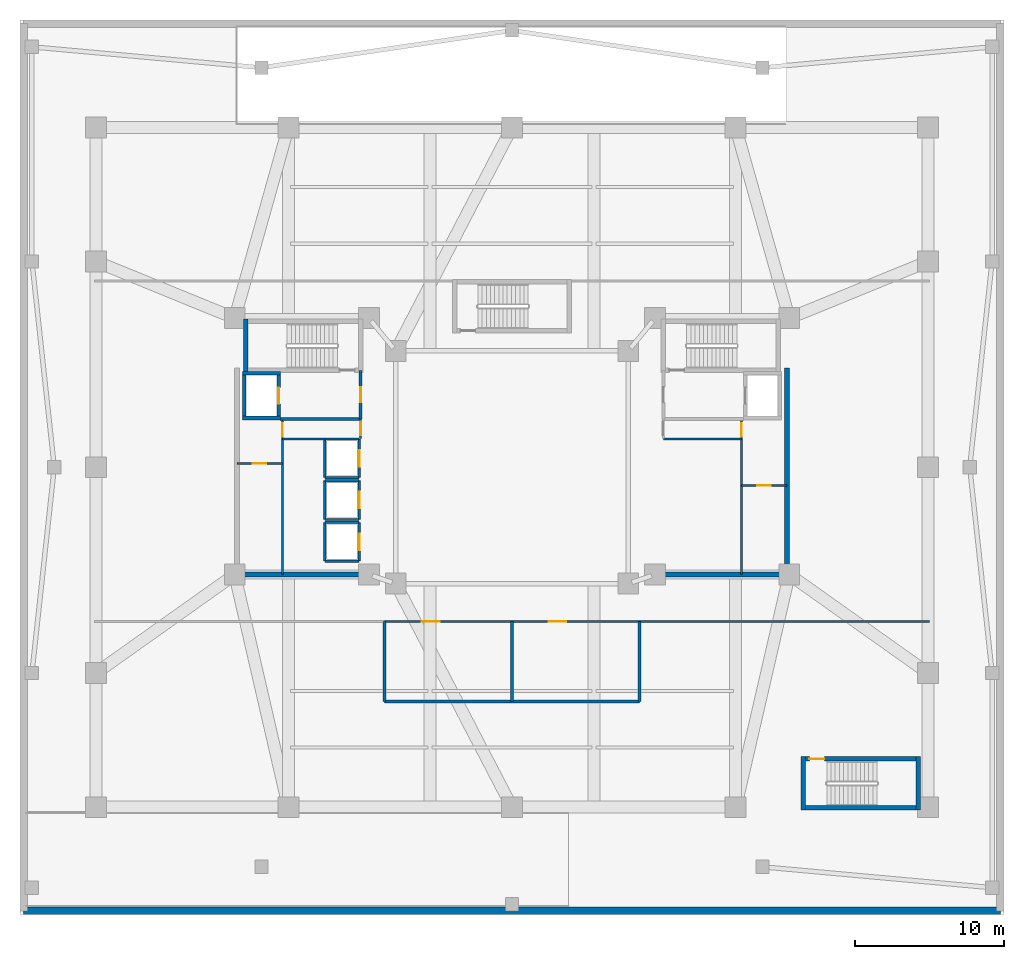
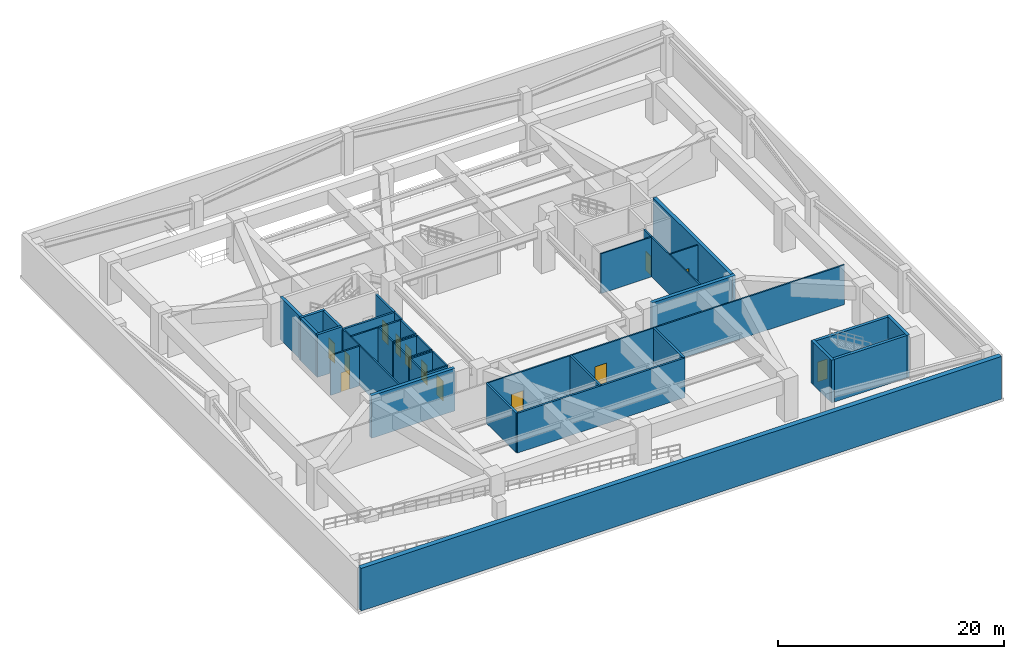
# One storey, part 3 of 8: 40 walls, 13 doors, 13 openings.
"""IFC4 building model written with IfcOpenShell, lengths in metres."""

from ifc_helpers import new_model, si_unit, direction, frame, frame_2d, origin, place, context, subcontext, project, spatial, rectangle, extrude, material, layer, layer_set, type_object, element, fill, save


model = new_model("IFC4")

# Units and contexts
model_context = context("Model", 3, precision=1e-05, world=origin(), true_north=direction((0.0, 1.0)))
body_context = subcontext(model_context, "Body", "Model", "MODEL_VIEW")
ifc_project = project(units=[si_unit("LENGTHUNIT", "METRE"), si_unit("AREAUNIT", "SQUARE_METRE"), si_unit("VOLUMEUNIT", "CUBIC_METRE"), si_unit("PLANEANGLEUNIT", "RADIAN"), si_unit("MASSUNIT", "GRAM", prefix="KILO")], contexts=[model_context])

# Site, building, storey
site_placement = place(None, origin())
site = spatial("IfcSite", under=ifc_project, at=site_placement, CompositionType="ELEMENT")
building_placement = place(site_placement, origin())
building = spatial("IfcBuilding", under=site, at=building_placement, Name="Tarnavaz Court Tower", CompositionType="ELEMENT")
storey_placement = place(building_placement, frame((0.0, 0.0, -4.60009765625)))
storey = spatial("IfcBuildingStorey", under=building, at=storey_placement, Name="B01", CompositionType="ELEMENT", Elevation=-4.60009765625)

# Wall
ifc_material_1 = material(Name="Concrete C60/75", Category="concrete")
ifc_layer_1 = layer(ifc_material_1, 0.25)
ifc_layer_set_1 = layer_set([ifc_layer_1], Name="Concrete C60/75")
wall_type_1 = type_object("IfcWallType", Name="WL-CORE-250-C60", PredefinedType="SHEAR", material=ifc_layer_set_1)
wall_1_placement = place(storey_placement, frame((-17.949951171875, 3.175048828125, 0.0), z_axis=(0.0, 0.0, 1.0), x_axis=(0.0, 1.0, 0.0)))
element("IfcWall", 1, at=wall_1_placement, inside=storey, type_object=wall_type_1, Name="B01 Lift FL-W1 Shaft Wall 021", PredefinedType="SHEAR", context=body_context, shape_type="SweptSolid", body=[
    extrude(rectangle(XDim=3.25, YDim=0.25, at=frame_2d((1.625, 0.0))), origin(), (0.0, 0.0, 1.0), 4.60009765625),
])

# Wall, opening, door
wall_2_placement = place(storey_placement, frame((-15.64990234375, 3.175048828125, 0.0), z_axis=(0.0, 0.0, 1.0), x_axis=(0.0, 1.0, 0.0)))
wall_2 = element("IfcWall", 2, at=wall_2_placement, inside=storey, type_object=wall_type_1, Name="B01 Lift FL-W1 Shaft Wall 022", PredefinedType="SHEAR", context=body_context, shape_type="SweptSolid", body=[
    extrude(rectangle(XDim=3.25, YDim=0.25, at=frame_2d((1.625, 0.0))), origin(), (0.0, 0.0, 1.0), 4.60009765625),
])
opening_1_placement = place(wall_2_placement, frame((1.074951171875, 0.0, 0.0)))
opening_1 = element("IfcOpeningElement", 3, at=opening_1_placement, cuts=wall_2, Name="Opening LD1", PredefinedType="OPENING", context=body_context, shape_type="SweptSolid", body=[
    extrude(rectangle(XDim=1.10009765625, YDim=2.14990234375, at=frame_2d((0.550048828125, 1.074951171875))), frame((0.0, 0.135009765625, 0.0), z_axis=(0.0, -1.0, 0.0), x_axis=(1.0, 0.0, 0.0)), (0.0, 0.0, 1.0), 0.27001953125),
])
ifc_material_2 = material(Name="Stainless Steel", Category="steel")
door_type_1 = type_object("IfcDoorType", Name="DR-LD-1100", OperationType="NOTDEFINED", PredefinedType="DOOR", material=ifc_material_2)
door_1_placement = place(opening_1_placement, origin())
door_1 = element("IfcDoor", 4, at=door_1_placement, inside=storey, type_object=door_type_1, Name="B01 Lift Landing Door LD-FL-W1", OperationType="SLIDING_TO_LEFT", OverallHeight=2.14990234375, OverallWidth=1.10009765625, PredefinedType="DOOR", context=body_context, shape_type="SweptSolid", body=[
    extrude(rectangle(XDim=1.10009765625, YDim=2.14990234375, at=frame_2d((0.550048828125, 1.074951171875))), frame((0.0, 0.02490234375, 0.0), z_axis=(0.0, -1.0, 0.0), x_axis=(1.0, 0.0, 0.0)), (0.0, 0.0, 1.0), 0.050048828125),
])
fill(opening_1, door_1)

# Walls
for number, where, z_axis, x_axis, name in (
    (5, (-18.074951171875, 3.300048828125, 0.0), (0.0, 0.0, 1.0), (1.0, 0.0, 0.0), "B01 Lift FL-W1 Shaft Wall 023"),
    (6, (-18.074951171875, 6.300048828125, 0.0), (0.0, 0.0, 1.0), (1.0, 0.0, 0.0), "B01 Lift FL-W1 Shaft Wall 024"),
):
    element("IfcWall", number, at=place(storey_placement, frame(where, z_axis=z_axis, x_axis=x_axis)), inside=storey, type_object=wall_type_1, Name=name, PredefinedType="SHEAR", context=body_context, shape_type="SweptSolid", body=[
        extrude(rectangle(XDim=2.550048828125, YDim=0.25, at=frame_2d((1.27490234375, 0.0))), origin(), (0.0, 0.0, 1.0), 4.60009765625),
    ])
ifc_layer_2 = layer(ifc_material_1, 0.300048828125)
ifc_layer_set_2 = layer_set([ifc_layer_2], Name="Concrete C60/75")
wall_type_2 = type_object("IfcWallType", Name="WL-CORE-300-C60", PredefinedType="SHEAR", material=ifc_layer_set_2)
wall_3_placement = place(storey_placement, frame((-17.85009765625, 6.35009765625, 0.0), z_axis=(0.0, 0.0, 1.0), x_axis=(0.0, 1.0, 0.0)))
element("IfcWall", 7, at=wall_3_placement, inside=storey, type_object=wall_type_2, Name="B01 West Stair Core Wall 003", PredefinedType="SHEAR", context=body_context, shape_type="SweptSolid", body=[
    extrude(rectangle(XDim=3.58984375, YDim=0.300048828125, at=frame_2d((1.794921875, 0.0))), origin(), (0.0, 0.0, 1.0), 4.60009765625),
])

# Wall, opening, door
wall_4_placement = place(storey_placement, frame((19.39990234375, -19.56005859375, 0.0), z_axis=(0.0, 0.0, 1.0), x_axis=(1.0, 0.0, 0.0)))
wall_4 = element("IfcWall", 8, at=wall_4_placement, inside=storey, type_object=wall_type_2, Name="B01 Podium Stair Core Wall 013", PredefinedType="SHEAR", context=body_context, shape_type="SweptSolid", body=[
    extrude(rectangle(XDim=8.0, YDim=0.300048828125, at=frame_2d((4.0, 0.0))), origin(), (0.0, 0.0, 1.0), 4.60009765625),
])
opening_2_placement = place(wall_4_placement, frame((0.550048828125, 0.0, 0.0)))
opening_2 = element("IfcOpeningElement", 9, at=opening_2_placement, cuts=wall_4, Name="Opening D01", PredefinedType="OPENING", context=body_context, shape_type="SweptSolid", body=[
    extrude(rectangle(XDim=1.0, YDim=2.14990234375, at=frame_2d((0.5, 1.074951171875))), frame((0.0, 0.159912109375, 0.0), z_axis=(0.0, -1.0, 0.0), x_axis=(1.0, 0.0, 0.0)), (0.0, 0.0, 1.0), 0.320068359375),
])
ifc_material_3 = material(Name="Fire-Rated Hardwood Timber Core", Category="wood")
door_type_2 = type_object("IfcDoorType", Name="DR-FD90-1000", OperationType="NOTDEFINED", PredefinedType="DOOR", material=ifc_material_3)
door_2_placement = place(opening_2_placement, origin())
door_2 = element("IfcDoor", 10, at=door_2_placement, inside=storey, type_object=door_type_2, Name="B01 Stair ST-P1 Exit Door", OperationType="SINGLE_SWING_RIGHT", OverallHeight=2.14990234375, OverallWidth=1.0, PredefinedType="DOOR", context=body_context, shape_type="SweptSolid", body=[
    extrude(rectangle(XDim=1.0, YDim=2.14990234375, at=frame_2d((0.5, 1.074951171875))), frame((0.0, 0.02490234375, 0.0), z_axis=(0.0, -1.0, 0.0), x_axis=(1.0, 0.0, 0.0)), (0.0, 0.0, 1.0), 0.050048828125),
])
fill(opening_2, door_2)

# Walls
wall_5_placement = place(storey_placement, frame((19.39990234375, -22.85009765625, 0.0), z_axis=(0.0, 0.0, 1.0), x_axis=(1.0, 0.0, 0.0)))
element("IfcWall", 11, at=wall_5_placement, inside=storey, type_object=wall_type_2, Name="B01 Podium Stair Core Wall 014", PredefinedType="SHEAR", context=body_context, shape_type="SweptSolid", body=[
    extrude(rectangle(XDim=8.0, YDim=0.300048828125, at=frame_2d((4.0, 0.0))), origin(), (0.0, 0.0, 1.0), 4.60009765625),
])
for number, where, z_axis, x_axis, name in (
    (12, (19.550048828125, -23.0, 0.0), (0.0, 0.0, 1.0), (0.0, 1.0, 0.0), "B01 Podium Stair Core Wall 015"),
    (13, (27.25, -23.0, 0.0), (0.0, 0.0, 1.0), (0.0, 1.0, 0.0), "B01 Podium Stair Core Wall 016"),
):
    element("IfcWall", number, at=place(storey_placement, frame(where, z_axis=z_axis, x_axis=x_axis)), inside=storey, type_object=wall_type_2, Name=name, PredefinedType="SHEAR", context=body_context, shape_type="SweptSolid", body=[
        extrude(rectangle(XDim=3.590087890625, YDim=0.300048828125, at=frame_2d((1.794921875, 0.0))), origin(), (0.0, 0.0, 1.0), 4.60009765625),
    ])
ifc_layer_3 = layer(ifc_material_1, 0.35009765625)
ifc_layer_set_3 = layer_set([ifc_layer_3], Name="Concrete C60/75")
wall_type_3 = type_object("IfcWallType", Name="WL-CORE-350-C60", PredefinedType="SHEAR", material=ifc_layer_set_3)
wall_6_placement = place(storey_placement, frame((-18.625, -7.199951171875, 0.0), z_axis=(0.0, 0.0, 1.0), x_axis=(1.0, 0.0, 0.0)))
element("IfcWall", 14, at=wall_6_placement, inside=storey, type_object=wall_type_3, Name="B01 West Core South Shear Wall 042", PredefinedType="SHEAR", context=body_context, shape_type="SweptSolid", body=[
    extrude(rectangle(XDim=8.550048828125, YDim=0.35009765625, at=frame_2d((4.27490234375, 0.0))), origin(), (0.0, 0.0, 1.0), 4.60009765625),
])
wall_7_placement = place(storey_placement, frame((18.449951171875, -7.375, 0.0), z_axis=(0.0, 0.0, 1.0), x_axis=(0.0, 1.0, 0.0)))
element("IfcWall", 15, at=wall_7_placement, inside=storey, type_object=wall_type_3, Name="B01 East Core Shear Wall 043", PredefinedType="SHEAR", context=body_context, shape_type="SweptSolid", body=[
    extrude(rectangle(XDim=14.050048828125, YDim=0.35009765625, at=frame_2d((7.02490234375, 0.0))), origin(), (0.0, 0.0, 1.0), 4.60009765625),
])
wall_8_placement = place(storey_placement, frame((10.074951171875, -7.199951171875, 0.0), z_axis=(0.0, 0.0, 1.0), x_axis=(1.0, 0.0, 0.0)))
element("IfcWall", 16, at=wall_8_placement, inside=storey, type_object=wall_type_3, Name="B01 East Core South Shear Wall 044", PredefinedType="SHEAR", context=body_context, shape_type="SweptSolid", body=[
    extrude(rectangle(XDim=8.550048828125, YDim=0.35009765625, at=frame_2d((4.27490234375, 0.0))), origin(), (0.0, 0.0, 1.0), 4.60009765625),
])

# Wall, openings, doors
ifc_material_4 = material(Name="Gypsum Fire-Board on Acoustic Metal Stud", Category="masonry")
ifc_layer_4 = layer(ifc_material_4, 0.14990234375)
ifc_layer_set_4 = layer_set([ifc_layer_4], Name="Gypsum Fire-Board on Acoustic Metal Stud")
wall_type_4 = type_object("IfcWallType", Name="WL-FIRE-150", PredefinedType="PARTITIONING", material=ifc_layer_set_4)
wall_9_placement = place(storey_placement, frame((-8.550048828125, -10.35009765625, 0.0), z_axis=(0.0, 0.0, 1.0), x_axis=(1.0, 0.0, 0.0)))
wall_9 = element("IfcWall", 17, at=wall_9_placement, inside=storey, type_object=wall_type_4, Name="B01 South Ring Corridor Wall 056", PredefinedType="PARTITIONING", context=body_context, shape_type="SweptSolid", body=[
    extrude(rectangle(XDim=17.10009765625, YDim=0.14990234375, at=frame_2d((8.550048828125, 0.0))), origin(), (0.0, 0.0, 1.0), 4.300048828125),
])
opening_3_placement = place(wall_9_placement, frame((2.5, 0.0, 0.0)))
opening_3 = element("IfcOpeningElement", 18, at=opening_3_placement, cuts=wall_9, Name="Opening D03", PredefinedType="OPENING", context=body_context, shape_type="SweptSolid", body=[
    extrude(rectangle(XDim=1.199951171875, YDim=2.199951171875, at=frame_2d((0.60009765625, 1.10009765625))), frame((0.0, 0.0849609375, 0.0), z_axis=(0.0, -1.0, 0.0), x_axis=(1.0, 0.0, 0.0)), (0.0, 0.0, 1.0), 0.169921875),
])
opening_4_placement = place(wall_9_placement, frame((11.0, 0.0, 0.0)))
opening_4 = element("IfcOpeningElement", 19, at=opening_4_placement, cuts=wall_9, Name="Opening D03", PredefinedType="OPENING", context=body_context, shape_type="SweptSolid", body=[
    extrude(rectangle(XDim=1.199951171875, YDim=2.199951171875, at=frame_2d((0.60009765625, 1.10009765625))), frame((0.0, 0.0849609375, 0.0), z_axis=(0.0, -1.0, 0.0), x_axis=(1.0, 0.0, 0.0)), (0.0, 0.0, 1.0), 0.169921875),
])
door_type_3 = type_object("IfcDoorType", Name="DR-FD90-1200", OperationType="NOTDEFINED", PredefinedType="DOOR", material=ifc_material_3)
door_3_placement = place(opening_3_placement, origin())
door_3 = element("IfcDoor", 20, at=door_3_placement, inside=storey, type_object=door_type_3, Name="B01 B01 West Plant Room Door", OperationType="SINGLE_SWING_RIGHT", OverallHeight=2.199951171875, OverallWidth=1.199951171875, PredefinedType="DOOR", context=body_context, shape_type="SweptSolid", body=[
    extrude(rectangle(XDim=1.199951171875, YDim=2.199951171875, at=frame_2d((0.60009765625, 1.10009765625))), frame((0.0, 0.02490234375, 0.0), z_axis=(0.0, -1.0, 0.0), x_axis=(1.0, 0.0, 0.0)), (0.0, 0.0, 1.0), 0.050048828125),
])
fill(opening_3, door_3)
door_4_placement = place(opening_4_placement, origin())
door_4 = element("IfcDoor", 21, at=door_4_placement, inside=storey, type_object=door_type_3, Name="B01 B01 East Plant Room Door", OperationType="SINGLE_SWING_LEFT", OverallHeight=2.199951171875, OverallWidth=1.199951171875, PredefinedType="DOOR", context=body_context, shape_type="SweptSolid", body=[
    extrude(rectangle(XDim=1.199951171875, YDim=2.199951171875, at=frame_2d((0.60009765625, 1.10009765625))), frame((0.0, 0.02490234375, 0.0), z_axis=(0.0, -1.0, 0.0), x_axis=(1.0, 0.0, 0.0)), (0.0, 0.0, 1.0), 0.050048828125),
])
fill(opening_4, door_4)

# Walls
wall_10_placement = place(storey_placement, frame((8.550048828125, -10.35009765625, 0.0), z_axis=(0.0, 0.0, 1.0), x_axis=(1.0, 0.0, 0.0)))
element("IfcWall", 22, at=wall_10_placement, inside=storey, type_object=wall_type_4, Name="B01 SE Corridor Wall 057", PredefinedType="PARTITIONING", context=body_context, shape_type="SweptSolid", body=[
    extrude(rectangle(XDim=19.449951171875, YDim=0.14990234375, at=frame_2d((9.72509765625, 0.0))), origin(), (0.0, 0.0, 1.0), 4.300048828125),
])
ifc_material_5 = material(Name="Autoclaved Aerated Concrete Blockwork", Category="masonry")
ifc_layer_5 = layer(ifc_material_5, 0.199951171875)
ifc_layer_set_5 = layer_set([ifc_layer_5], Name="Autoclaved Aerated Concrete Blockwork")
wall_type_5 = type_object("IfcWallType", Name="WL-FIRE-200", PredefinedType="SOLIDWALL", material=ifc_layer_set_5)
wall_11_placement = place(storey_placement, frame((-15.550048828125, 3.25, 0.0), z_axis=(0.0, 0.0, 1.0), x_axis=(1.0, 0.0, 0.0)))
element("IfcWall", 23, at=wall_11_placement, inside=storey, type_object=wall_type_5, Name="B01 West Firefighting Lobby Wall 017", PredefinedType="SOLIDWALL", context=body_context, shape_type="SweptSolid", body=[
    extrude(rectangle(XDim=5.400146484375, YDim=0.199951171875, at=frame_2d((2.7001953125, 0.0))), origin(), (0.0, 0.0, 1.0), 4.300048828125),
])

# Wall, opening, door
wall_12_placement = place(storey_placement, frame((-10.14990234375, 3.25, 0.0), z_axis=(0.0, 0.0, 1.0), x_axis=(0.0, 1.0, 0.0)))
wall_12 = element("IfcWall", 24, at=wall_12_placement, inside=storey, type_object=wall_type_5, Name="B01 West Firefighting Lobby Wall 018", PredefinedType="SOLIDWALL", context=body_context, shape_type="SweptSolid", body=[
    extrude(rectangle(XDim=3.25, YDim=0.199951171875, at=frame_2d((1.625, 0.0))), origin(), (0.0, 0.0, 1.0), 4.300048828125),
])
opening_5_placement = place(wall_12_placement, frame((1.10009765625, 0.0, 0.0)))
opening_5 = element("IfcOpeningElement", 25, at=opening_5_placement, cuts=wall_12, Name="Opening D05", PredefinedType="OPENING", context=body_context, shape_type="SweptSolid", body=[
    extrude(rectangle(XDim=1.02001953125, YDim=2.14990234375, at=frame_2d((0.510009765625, 1.074951171875))), frame((0.0, 0.10986328125, 0.0), z_axis=(0.0, -1.0, 0.0), x_axis=(1.0, 0.0, 0.0)), (0.0, 0.0, 1.0), 0.219970703125),
])
door_type_4 = type_object("IfcDoorType", Name="DR-FD60-1000", OperationType="NOTDEFINED", PredefinedType="DOOR", material=ifc_material_3)
door_5_placement = place(opening_5_placement, origin())
door_5 = element("IfcDoor", 26, at=door_5_placement, inside=storey, type_object=door_type_4, Name="B01 West Firefighting Lobby Door", OperationType="SINGLE_SWING_RIGHT", OverallHeight=2.14990234375, OverallWidth=1.02001953125, PredefinedType="DOOR", context=body_context, shape_type="SweptSolid", body=[
    extrude(rectangle(XDim=1.02001953125, YDim=2.14990234375, at=frame_2d((0.510009765625, 1.074951171875))), frame((0.0, 0.02490234375, 0.0), z_axis=(0.0, -1.0, 0.0), x_axis=(1.0, 0.0, 0.0)), (0.0, 0.0, 1.0), 0.050048828125),
])
fill(opening_5, door_5)

# Walls
wall_13_placement = place(storey_placement, frame((-8.550048828125, -15.699951171875, 0.0), z_axis=(0.0, 0.0, 1.0), x_axis=(1.0, 0.0, 0.0)))
element("IfcWall", 27, at=wall_13_placement, inside=storey, type_object=wall_type_5, Name="B01 Interior Partition 058", PredefinedType="SOLIDWALL", context=body_context, shape_type="SweptSolid", body=[
    extrude(rectangle(XDim=17.10009765625, YDim=0.199951171875, at=frame_2d((8.550048828125, 0.0))), origin(), (0.0, 0.0, 1.0), 4.300048828125),
])
for number, where, z_axis, x_axis, name in (
    (28, (-8.550048828125, -15.699951171875, 0.0), (0.0, 0.0, 1.0), (0.0, 1.0, 0.0), "B01 Interior Partition 059"),
    (29, (8.550048828125, -15.699951171875, 0.0), (0.0, 0.0, 1.0), (0.0, 1.0, 0.0), "B01 Interior Partition 060"),
    (30, (0.0, -15.699951171875, 0.0), (0.0, 0.0, 1.0), (0.0, 1.0, 0.0), "B01 Interior Partition 061"),
):
    element("IfcWall", number, at=place(storey_placement, frame(where, z_axis=z_axis, x_axis=x_axis)), inside=storey, type_object=wall_type_5, Name=name, PredefinedType="SOLIDWALL", context=body_context, shape_type="SweptSolid", body=[
        extrude(rectangle(XDim=5.349853515625, YDim=0.199951171875, at=frame_2d((2.6748046875, 0.0))), origin(), (0.0, 0.0, 1.0), 4.300048828125),
    ])
ifc_material_6 = material(Name="Gypsum Plasterboard Acoustic Partition", Category="masonry")
ifc_layer_6 = layer(ifc_material_6, 0.139892578125)
ifc_layer_set_6 = layer_set([ifc_layer_6], Name="Gypsum Plasterboard Acoustic Partition")
wall_type_6 = type_object("IfcWallType", Name="WL-PART-150", PredefinedType="PARTITIONING", material=ifc_layer_set_6)
wall_14_placement = place(storey_placement, frame((-15.39990234375, 1.89990234375, 0.0), z_axis=(0.0, 0.0, 1.0), x_axis=(1.0, 0.0, 0.0)))
element("IfcWall", 31, at=wall_14_placement, inside=storey, type_object=wall_type_6, Name="B01 Interior Partition 045", PredefinedType="PARTITIONING", context=body_context, shape_type="SweptSolid", body=[
    extrude(rectangle(XDim=2.849853515625, YDim=0.139892578125, at=frame_2d((1.4248046875, 0.0))), origin(), (0.0, 0.0, 1.0), 4.300048828125),
])

# Wall, opening, door
wall_15_placement = place(storey_placement, frame((-10.14990234375, 1.919921875, 0.0), z_axis=(0.0, 0.0, 1.0), x_axis=(0.0, 1.0, 0.0)))
wall_15 = element("IfcWall", 32, at=wall_15_placement, inside=storey, type_object=wall_type_6, Name="B01 Interior Partition 046", PredefinedType="PARTITIONING", context=body_context, shape_type="SweptSolid", body=[
    extrude(rectangle(XDim=1.330078125, YDim=0.139892578125, at=frame_2d((0.6650390625, 0.0))), origin(), (0.0, 0.0, 1.0), 4.300048828125),
])
opening_6_placement = place(wall_15_placement, frame((0.219970703125, 0.0, 0.0)))
opening_6 = element("IfcOpeningElement", 33, at=opening_6_placement, cuts=wall_15, Name="Opening D09", PredefinedType="OPENING", context=body_context, shape_type="SweptSolid", body=[
    extrude(rectangle(XDim=0.89990234375, YDim=2.080078125, at=frame_2d((0.449951171875, 1.0400390625))), frame((0.0, 0.079833984375, 0.0), z_axis=(0.0, -1.0, 0.0), x_axis=(1.0, 0.0, 0.0)), (0.0, 0.0, 1.0), 0.159912109375),
])
door_type_5 = type_object("IfcDoorType", Name="DR-FD30-900", OperationType="NOTDEFINED", PredefinedType="DOOR", material=ifc_material_3)
door_6_placement = place(opening_6_placement, origin())
door_6 = element("IfcDoor", 34, at=door_6_placement, inside=storey, type_object=door_type_5, Name="B01 West Core Service Lobby Door", OperationType="SINGLE_SWING_RIGHT", OverallHeight=2.080078125, OverallWidth=0.89990234375, PredefinedType="DOOR", context=body_context, shape_type="SweptSolid", body=[
    extrude(rectangle(XDim=0.89990234375, YDim=2.080078125, at=frame_2d((0.449951171875, 1.0400390625))), frame((0.0, 0.02490234375, 0.0), z_axis=(0.0, -1.0, 0.0), x_axis=(1.0, 0.0, 0.0)), (0.0, 0.0, 1.0), 0.050048828125),
])
fill(opening_6, door_6)

wall_16_placement = place(storey_placement, frame((-15.39990234375, -7.199951171875, 0.0), z_axis=(0.0, 0.0, 1.0), x_axis=(0.0, 1.0, 0.0)))
wall_16 = element("IfcWall", 35, at=wall_16_placement, inside=storey, type_object=wall_type_6, Name="B01 Interior Partition 047", PredefinedType="PARTITIONING", context=body_context, shape_type="SweptSolid", body=[
    extrude(rectangle(XDim=10.449951171875, YDim=0.139892578125, at=frame_2d((5.22509765625, 0.0))), origin(), (0.0, 0.0, 1.0), 4.300048828125),
])
opening_7_placement = place(wall_16_placement, frame((9.25, 0.0, 0.0)))
opening_7 = element("IfcOpeningElement", 36, at=opening_7_placement, cuts=wall_16, Name="Opening D09", PredefinedType="OPENING", context=body_context, shape_type="SweptSolid", body=[
    extrude(rectangle(XDim=0.89990234375, YDim=2.080078125, at=frame_2d((0.449951171875, 1.0400390625))), frame((0.0, 0.079833984375, 0.0), z_axis=(0.0, -1.0, 0.0), x_axis=(1.0, 0.0, 0.0)), (0.0, 0.0, 1.0), 0.159912109375),
])
door_7_placement = place(opening_7_placement, origin())
door_7 = element("IfcDoor", 37, at=door_7_placement, inside=storey, type_object=door_type_5, Name="B01 West Data Room Door", OperationType="SINGLE_SWING_LEFT", OverallHeight=2.080078125, OverallWidth=0.89990234375, PredefinedType="DOOR", context=body_context, shape_type="SweptSolid", body=[
    extrude(rectangle(XDim=0.89990234375, YDim=2.080078125, at=frame_2d((0.449951171875, 1.0400390625))), frame((0.0, 0.02490234375, 0.0), z_axis=(0.0, -1.0, 0.0), x_axis=(1.0, 0.0, 0.0)), (0.0, 0.0, 1.0), 0.050048828125),
])
fill(opening_7, door_7)

wall_17_placement = place(storey_placement, frame((-18.449951171875, 0.25, 0.0), z_axis=(0.0, 0.0, 1.0), x_axis=(1.0, 0.0, 0.0)))
wall_17 = element("IfcWall", 38, at=wall_17_placement, inside=storey, type_object=wall_type_6, Name="B01 Interior Partition 048", PredefinedType="PARTITIONING", context=body_context, shape_type="SweptSolid", body=[
    extrude(rectangle(XDim=3.050048828125, YDim=0.139892578125, at=frame_2d((1.52490234375, 0.0))), origin(), (0.0, 0.0, 1.0), 4.300048828125),
])
opening_8_placement = place(wall_17_placement, frame((1.050048828125, 0.0, 0.0)))
opening_8 = element("IfcOpeningElement", 39, at=opening_8_placement, cuts=wall_17, Name="Opening D09", PredefinedType="OPENING", context=body_context, shape_type="SweptSolid", body=[
    extrude(rectangle(XDim=0.89990234375, YDim=2.080078125, at=frame_2d((0.449951171875, 1.0400390625))), frame((0.0, 0.079833984375, 0.0), z_axis=(0.0, -1.0, 0.0), x_axis=(1.0, 0.0, 0.0)), (0.0, 0.0, 1.0), 0.159912109375),
])
door_8_placement = place(opening_8_placement, origin())
door_8 = element("IfcDoor", 40, at=door_8_placement, inside=storey, type_object=door_type_5, Name="B01 West Mechanical Riser Door", OperationType="SINGLE_SWING_RIGHT", OverallHeight=2.080078125, OverallWidth=0.89990234375, PredefinedType="DOOR", context=body_context, shape_type="SweptSolid", body=[
    extrude(rectangle(XDim=0.89990234375, YDim=2.080078125, at=frame_2d((0.449951171875, 1.0400390625))), frame((0.0, 0.02490234375, 0.0), z_axis=(0.0, -1.0, 0.0), x_axis=(1.0, 0.0, 0.0)), (0.0, 0.0, 1.0), 0.050048828125),
])
fill(opening_8, door_8)

# Wall
wall_18_placement = place(storey_placement, frame((10.14990234375, 1.89990234375, 0.0), z_axis=(0.0, 0.0, 1.0), x_axis=(1.0, 0.0, 0.0)))
element("IfcWall", 41, at=wall_18_placement, inside=storey, type_object=wall_type_6, Name="B01 Interior Partition 049", PredefinedType="PARTITIONING", context=body_context, shape_type="SweptSolid", body=[
    extrude(rectangle(XDim=5.25, YDim=0.139892578125, at=frame_2d((2.625, 0.0))), origin(), (0.0, 0.0, 1.0), 4.300048828125),
])

# Wall, opening, door
wall_19_placement = place(storey_placement, frame((15.39990234375, -7.199951171875, 0.0), z_axis=(0.0, 0.0, 1.0), x_axis=(0.0, 1.0, 0.0)))
wall_19 = element("IfcWall", 42, at=wall_19_placement, inside=storey, type_object=wall_type_6, Name="B01 Interior Partition 051", PredefinedType="PARTITIONING", context=body_context, shape_type="SweptSolid", body=[
    extrude(rectangle(XDim=10.449951171875, YDim=0.139892578125, at=frame_2d((5.22509765625, 0.0))), origin(), (0.0, 0.0, 1.0), 4.300048828125),
])
opening_9_placement = place(wall_19_placement, frame((9.25, 0.0, 0.0)))
opening_9 = element("IfcOpeningElement", 43, at=opening_9_placement, cuts=wall_19, Name="Opening D09", PredefinedType="OPENING", context=body_context, shape_type="SweptSolid", body=[
    extrude(rectangle(XDim=0.89990234375, YDim=2.080078125, at=frame_2d((0.449951171875, 1.0400390625))), frame((0.0, 0.079833984375, 0.0), z_axis=(0.0, -1.0, 0.0), x_axis=(1.0, 0.0, 0.0)), (0.0, 0.0, 1.0), 0.159912109375),
])
door_9_placement = place(opening_9_placement, origin())
door_9 = element("IfcDoor", 44, at=door_9_placement, inside=storey, type_object=door_type_5, Name="B01 East Wet Riser Door", OperationType="SINGLE_SWING_RIGHT", OverallHeight=2.080078125, OverallWidth=0.89990234375, PredefinedType="DOOR", context=body_context, shape_type="SweptSolid", body=[
    extrude(rectangle(XDim=0.89990234375, YDim=2.080078125, at=frame_2d((0.449951171875, 1.0400390625))), frame((0.0, 0.02490234375, 0.0), z_axis=(0.0, -1.0, 0.0), x_axis=(1.0, 0.0, 0.0)), (0.0, 0.0, 1.0), 0.050048828125),
])
fill(opening_9, door_9)

wall_20_placement = place(storey_placement, frame((15.39990234375, -1.219970703125, 0.0), z_axis=(0.0, 0.0, 1.0), x_axis=(1.0, 0.0, 0.0)))
wall_20 = element("IfcWall", 45, at=wall_20_placement, inside=storey, type_object=wall_type_6, Name="B01 Interior Partition 052", PredefinedType="PARTITIONING", context=body_context, shape_type="SweptSolid", body=[
    extrude(rectangle(XDim=3.050048828125, YDim=0.139892578125, at=frame_2d((1.52490234375, 0.0))), origin(), (0.0, 0.0, 1.0), 4.300048828125),
])
opening_10_placement = place(wall_20_placement, frame((1.050048828125, 0.0, 0.0)))
opening_10 = element("IfcOpeningElement", 46, at=opening_10_placement, cuts=wall_20, Name="Opening D09", PredefinedType="OPENING", context=body_context, shape_type="SweptSolid", body=[
    extrude(rectangle(XDim=0.89990234375, YDim=2.080078125, at=frame_2d((0.449951171875, 1.0400390625))), frame((0.0, 0.079833984375, 0.0), z_axis=(0.0, -1.0, 0.0), x_axis=(1.0, 0.0, 0.0)), (0.0, 0.0, 1.0), 0.159912109375),
])
door_10_placement = place(opening_10_placement, origin())
door_10 = element("IfcDoor", 47, at=door_10_placement, inside=storey, type_object=door_type_5, Name="B01 East Electrical Plant Door", OperationType="SINGLE_SWING_LEFT", OverallHeight=2.080078125, OverallWidth=0.89990234375, PredefinedType="DOOR", context=body_context, shape_type="SweptSolid", body=[
    extrude(rectangle(XDim=0.89990234375, YDim=2.080078125, at=frame_2d((0.449951171875, 1.0400390625))), frame((0.0, 0.02490234375, 0.0), z_axis=(0.0, -1.0, 0.0), x_axis=(1.0, 0.0, 0.0)), (0.0, 0.0, 1.0), 0.050048828125),
])
fill(opening_10, door_10)

# Walls
ifc_material_7 = material(Name="Concrete C50/60", Category="concrete")
ifc_layer_7 = layer(ifc_material_7, 0.5)
ifc_layer_set_7 = layer_set([ifc_layer_7], Name="Concrete C50/60")
wall_type_7 = type_object("IfcWallType", Name="WL-RET-500", PredefinedType="USERDEFINED", material=ifc_layer_set_7)
wall_21_placement = place(storey_placement, frame((32.75, -29.75, 0.0), z_axis=(0.0, 0.0, 1.0), x_axis=(-1.0, 0.0, 0.0)))
element("IfcWall", 48, at=wall_21_placement, inside=storey, type_object=wall_type_7, Name="B01 Perimeter Retaining Wall 3", ObjectType="RETAINING WALL", PredefinedType="USERDEFINED", context=body_context, shape_type="SweptSolid", body=[
    extrude(rectangle(XDim=65.5, YDim=0.5, at=frame_2d((32.75, 0.0))), origin(), (0.0, 0.0, 1.0), 4.60009765625),
])
ifc_layer_8 = layer(ifc_material_5, 0.159912109375)
ifc_layer_set_8 = layer_set([ifc_layer_8], Name="Autoclaved Aerated Concrete Blockwork")
wall_type_8 = type_object("IfcWallType", Name="WL-SHAFT-150", PredefinedType="SOLIDWALL", material=ifc_layer_set_8)
wall_22_placement = place(storey_placement, frame((-12.550048828125, -6.300048828125, 0.0), z_axis=(0.0, 0.0, 1.0), x_axis=(0.0, 1.0, 0.0)))
element("IfcWall", 49, at=wall_22_placement, inside=storey, type_object=wall_type_8, Name="B01 Lift PL-L1 Shaft Wall 025", PredefinedType="SOLIDWALL", context=body_context, shape_type="SweptSolid", body=[
    extrude(rectangle(XDim=2.60009765625, YDim=0.159912109375, at=frame_2d((1.300048828125, 0.0))), origin(), (0.0, 0.0, 1.0), 4.300048828125),
])

# Wall, opening, door
wall_23_placement = place(storey_placement, frame((-10.25, -6.300048828125, 0.0), z_axis=(0.0, 0.0, 1.0), x_axis=(0.0, 1.0, 0.0)))
wall_23 = element("IfcWall", 50, at=wall_23_placement, inside=storey, type_object=wall_type_8, Name="B01 Lift PL-L1 Shaft Wall 026", PredefinedType="SOLIDWALL", context=body_context, shape_type="SweptSolid", body=[
    extrude(rectangle(XDim=2.60009765625, YDim=0.159912109375, at=frame_2d((1.300048828125, 0.0))), origin(), (0.0, 0.0, 1.0), 4.300048828125),
])
opening_11_placement = place(wall_23_placement, frame((0.75, 0.0, 0.0)))
opening_11 = element("IfcOpeningElement", 51, at=opening_11_placement, cuts=wall_23, Name="Opening LD1", PredefinedType="OPENING", context=body_context, shape_type="SweptSolid", body=[
    extrude(rectangle(XDim=1.10009765625, YDim=2.14990234375, at=frame_2d((0.550048828125, 1.074951171875))), frame((0.0, 0.08984375, 0.0), z_axis=(0.0, -1.0, 0.0), x_axis=(1.0, 0.0, 0.0)), (0.0, 0.0, 1.0), 0.179931640625),
])
door_11_placement = place(opening_11_placement, origin())
door_11 = element("IfcDoor", 52, at=door_11_placement, inside=storey, type_object=door_type_1, Name="B01 Lift Landing Door LD-PL-L1", OperationType="SLIDING_TO_LEFT", OverallHeight=2.14990234375, OverallWidth=1.10009765625, PredefinedType="DOOR", context=body_context, shape_type="SweptSolid", body=[
    extrude(rectangle(XDim=1.10009765625, YDim=2.14990234375, at=frame_2d((0.550048828125, 1.074951171875))), frame((0.0, 0.02490234375, 0.0), z_axis=(0.0, -1.0, 0.0), x_axis=(1.0, 0.0, 0.0)), (0.0, 0.0, 1.0), 0.050048828125),
])
fill(opening_11, door_11)

# Walls
for number, where, z_axis, x_axis, name in (
    (53, (-12.550048828125, -6.300048828125, 0.0), (0.0, 0.0, 1.0), (1.0, 0.0, 0.0), "B01 Lift PL-L1 Shaft Wall 027"),
    (54, (-12.550048828125, -3.699951171875, 0.0), (0.0, 0.0, 1.0), (1.0, 0.0, 0.0), "B01 Lift PL-L1 Shaft Wall 028"),
):
    element("IfcWall", number, at=place(storey_placement, frame(where, z_axis=z_axis, x_axis=x_axis)), inside=storey, type_object=wall_type_8, Name=name, PredefinedType="SOLIDWALL", context=body_context, shape_type="SweptSolid", body=[
        extrude(rectangle(XDim=2.300048828125, YDim=0.159912109375, at=frame_2d((1.14990234375, 0.0))), origin(), (0.0, 0.0, 1.0), 4.300048828125),
    ])
wall_24_placement = place(storey_placement, frame((-12.550048828125, -3.5, 0.0), z_axis=(0.0, 0.0, 1.0), x_axis=(0.0, 1.0, 0.0)))
element("IfcWall", 55, at=wall_24_placement, inside=storey, type_object=wall_type_8, Name="B01 Lift PL-L2 Shaft Wall 029", PredefinedType="SOLIDWALL", context=body_context, shape_type="SweptSolid", body=[
    extrude(rectangle(XDim=2.60009765625, YDim=0.159912109375, at=frame_2d((1.300048828125, 0.0))), origin(), (0.0, 0.0, 1.0), 4.300048828125),
])

# Wall, opening, door
wall_25_placement = place(storey_placement, frame((-10.25, -3.5, 0.0), z_axis=(0.0, 0.0, 1.0), x_axis=(0.0, 1.0, 0.0)))
wall_25 = element("IfcWall", 56, at=wall_25_placement, inside=storey, type_object=wall_type_8, Name="B01 Lift PL-L2 Shaft Wall 030", PredefinedType="SOLIDWALL", context=body_context, shape_type="SweptSolid", body=[
    extrude(rectangle(XDim=2.60009765625, YDim=0.159912109375, at=frame_2d((1.300048828125, 0.0))), origin(), (0.0, 0.0, 1.0), 4.300048828125),
])
opening_12_placement = place(wall_25_placement, frame((0.75, 0.0, 0.0)))
opening_12 = element("IfcOpeningElement", 57, at=opening_12_placement, cuts=wall_25, Name="Opening LD1", PredefinedType="OPENING", context=body_context, shape_type="SweptSolid", body=[
    extrude(rectangle(XDim=1.10009765625, YDim=2.14990234375, at=frame_2d((0.550048828125, 1.074951171875))), frame((0.0, 0.08984375, 0.0), z_axis=(0.0, -1.0, 0.0), x_axis=(1.0, 0.0, 0.0)), (0.0, 0.0, 1.0), 0.179931640625),
])
door_12_placement = place(opening_12_placement, origin())
door_12 = element("IfcDoor", 58, at=door_12_placement, inside=storey, type_object=door_type_1, Name="B01 Lift Landing Door LD-PL-L2", OperationType="SLIDING_TO_LEFT", OverallHeight=2.14990234375, OverallWidth=1.10009765625, PredefinedType="DOOR", context=body_context, shape_type="SweptSolid", body=[
    extrude(rectangle(XDim=1.10009765625, YDim=2.14990234375, at=frame_2d((0.550048828125, 1.074951171875))), frame((0.0, 0.02490234375, 0.0), z_axis=(0.0, -1.0, 0.0), x_axis=(1.0, 0.0, 0.0)), (0.0, 0.0, 1.0), 0.050048828125),
])
fill(opening_12, door_12)

# Walls
for number, where, z_axis, x_axis, name in (
    (59, (-12.550048828125, -3.5, 0.0), (0.0, 0.0, 1.0), (1.0, 0.0, 0.0), "B01 Lift PL-L2 Shaft Wall 031"),
    (60, (-12.550048828125, -0.89990234375, 0.0), (0.0, 0.0, 1.0), (1.0, 0.0, 0.0), "B01 Lift PL-L2 Shaft Wall 032"),
):
    element("IfcWall", number, at=place(storey_placement, frame(where, z_axis=z_axis, x_axis=x_axis)), inside=storey, type_object=wall_type_8, Name=name, PredefinedType="SOLIDWALL", context=body_context, shape_type="SweptSolid", body=[
        extrude(rectangle(XDim=2.300048828125, YDim=0.159912109375, at=frame_2d((1.14990234375, 0.0))), origin(), (0.0, 0.0, 1.0), 4.300048828125),
    ])
wall_26_placement = place(storey_placement, frame((-12.550048828125, -0.699951171875, 0.0), z_axis=(0.0, 0.0, 1.0), x_axis=(0.0, 1.0, 0.0)))
element("IfcWall", 61, at=wall_26_placement, inside=storey, type_object=wall_type_8, Name="B01 Lift PL-L3 Shaft Wall 033", PredefinedType="SOLIDWALL", context=body_context, shape_type="SweptSolid", body=[
    extrude(rectangle(XDim=2.599853515625, YDim=0.159912109375, at=frame_2d((1.2998046875, 0.0))), origin(), (0.0, 0.0, 1.0), 4.300048828125),
])

# Wall, opening, door
wall_27_placement = place(storey_placement, frame((-10.25, -0.699951171875, 0.0), z_axis=(0.0, 0.0, 1.0), x_axis=(0.0, 1.0, 0.0)))
wall_27 = element("IfcWall", 62, at=wall_27_placement, inside=storey, type_object=wall_type_8, Name="B01 Lift PL-L3 Shaft Wall 034", PredefinedType="SOLIDWALL", context=body_context, shape_type="SweptSolid", body=[
    extrude(rectangle(XDim=2.599853515625, YDim=0.159912109375, at=frame_2d((1.2998046875, 0.0))), origin(), (0.0, 0.0, 1.0), 4.300048828125),
])
opening_13_placement = place(wall_27_placement, frame((0.75, 0.0, 0.0)))
opening_13 = element("IfcOpeningElement", 63, at=opening_13_placement, cuts=wall_27, Name="Opening LD1", PredefinedType="OPENING", context=body_context, shape_type="SweptSolid", body=[
    extrude(rectangle(XDim=1.10009765625, YDim=2.14990234375, at=frame_2d((0.550048828125, 1.074951171875))), frame((0.0, 0.08984375, 0.0), z_axis=(0.0, -1.0, 0.0), x_axis=(1.0, 0.0, 0.0)), (0.0, 0.0, 1.0), 0.179931640625),
])
door_13_placement = place(opening_13_placement, origin())
door_13 = element("IfcDoor", 64, at=door_13_placement, inside=storey, type_object=door_type_1, Name="B01 Lift Landing Door LD-PL-L3", OperationType="SLIDING_TO_LEFT", OverallHeight=2.14990234375, OverallWidth=1.10009765625, PredefinedType="DOOR", context=body_context, shape_type="SweptSolid", body=[
    extrude(rectangle(XDim=1.10009765625, YDim=2.14990234375, at=frame_2d((0.550048828125, 1.074951171875))), frame((0.0, 0.02490234375, 0.0), z_axis=(0.0, -1.0, 0.0), x_axis=(1.0, 0.0, 0.0)), (0.0, 0.0, 1.0), 0.050048828125),
])
fill(opening_13, door_13)

# Walls
for number, where, z_axis, x_axis, name in (
    (65, (-12.550048828125, -0.699951171875, 0.0), (0.0, 0.0, 1.0), (1.0, 0.0, 0.0), "B01 Lift PL-L3 Shaft Wall 035"),
    (66, (-12.550048828125, 1.89990234375, 0.0), (0.0, 0.0, 1.0), (1.0, 0.0, 0.0), "B01 Lift PL-L3 Shaft Wall 036"),
):
    element("IfcWall", number, at=place(storey_placement, frame(where, z_axis=z_axis, x_axis=x_axis)), inside=storey, type_object=wall_type_8, Name=name, PredefinedType="SOLIDWALL", context=body_context, shape_type="SweptSolid", body=[
        extrude(rectangle(XDim=2.300048828125, YDim=0.159912109375, at=frame_2d((1.14990234375, 0.0))), origin(), (0.0, 0.0, 1.0), 4.300048828125),
    ])

save(model, "model.ifc")
